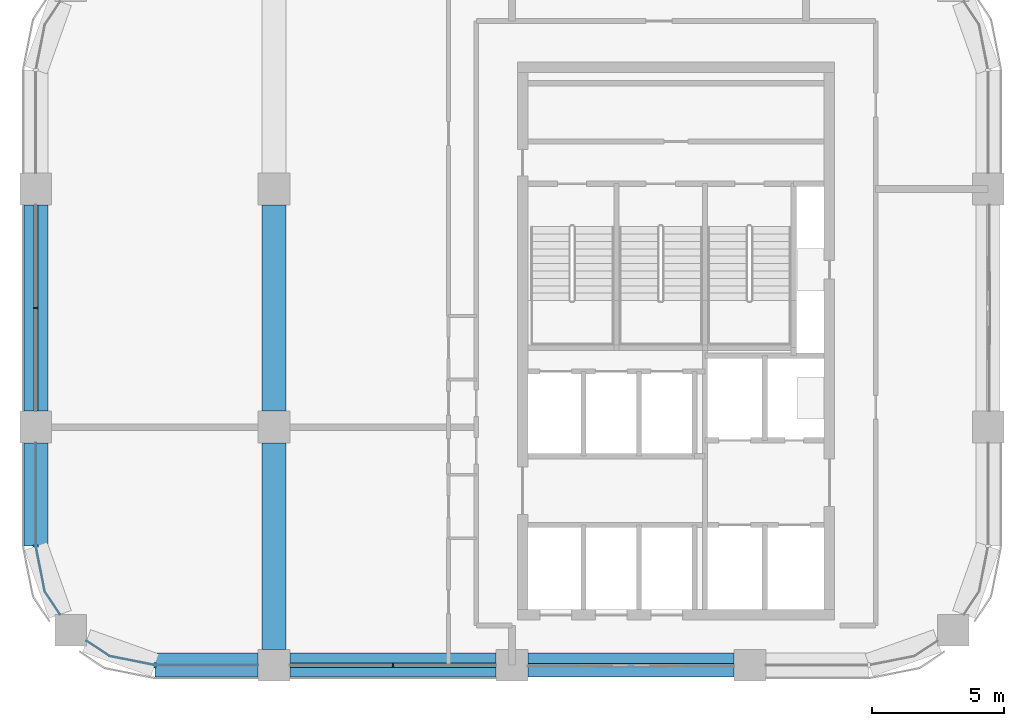
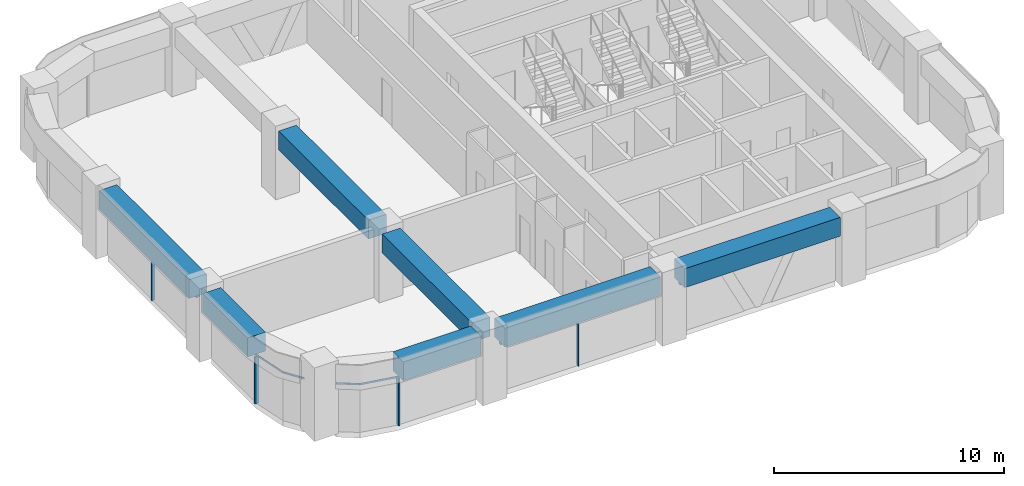
# One storey, part 2 of 9: 9 members, 7 beams, 5 elements without a shape of their own.
"""IFC4 building model written with IfcOpenShell, lengths in metres."""

from ifc_helpers import new_model, si_unit, direction, frame, origin, origin_2d, place, context, subcontext, project, spatial, polyline, rectangle, outline, extrude, material, material_profile, profile_set, type_object, element, aggregate, save


model = new_model("IFC4")

# Units and contexts
model_context = context("Model", 3, precision=1e-05, world=origin(), true_north=direction((0.0, 1.0)))
body_context = subcontext(model_context, "Body", "Model", "MODEL_VIEW")
ifc_project = project(units=[si_unit("LENGTHUNIT", "METRE"), si_unit("AREAUNIT", "SQUARE_METRE"), si_unit("VOLUMEUNIT", "CUBIC_METRE"), si_unit("PLANEANGLEUNIT", "RADIAN"), si_unit("MASSUNIT", "GRAM", prefix="KILO")], contexts=[model_context])

# Site, building, storey
site_placement = place(None, origin())
site = spatial("IfcSite", under=ifc_project, at=site_placement, CompositionType="ELEMENT")
building_placement = place(site_placement, origin())
building = spatial("IfcBuilding", under=site, at=building_placement, Name="Tessera Arch", CompositionType="ELEMENT")
storey_placement = place(building_placement, frame((0.0, 0.0, 273.5)))
storey = spatial("IfcBuildingStorey", under=building, at=storey_placement, Name="L66", CompositionType="ELEMENT", Elevation=273.5)

# Curtain wall, member
ifc_material_1 = material(Name="CW1 curtain wall")
curtain_wall_type_1 = type_object("IfcCurtainWallType", Name="CW1 curtain wall", PredefinedType="NOTDEFINED", material=ifc_material_1)
curtain_wall_1_placement = place(storey_placement, origin())
curtain_wall_1 = element("IfcCurtainWall", 1, at=curtain_wall_1_placement, inside=storey, type_object=curtain_wall_type_1, Name="CW1 curtain wall W18.27/1 L66", PredefinedType="NOTDEFINED")
ifc_material_2 = material(Name="Anodised aluminium pale metal", Category="aluminium")
ifc_material_profile_1 = material_profile(ifc_material_2, rectangle(XDim=0.159912109375, YDim=0.06005859375, at=origin_2d()), Name="AL 60x160")
ifc_profile_set_1 = profile_set([ifc_material_profile_1], Name="Anodised aluminium pale metal")
member_type_1 = type_object("IfcMemberType", Name="CW1 mullion", PredefinedType="MULLION", material=ifc_profile_set_1)
member_1_placement = place(storey_placement, frame((18.0, 40.5, 0.0), z_axis=(0.0, 0.0, 1.0), x_axis=(1.0, 0.0, 0.0)))
member_1 = element("IfcMember", 2, at=member_1_placement, type_object=member_type_1, Name="CW1 mullion W18.27/1 1", PredefinedType="MULLION", context=body_context, shape_type="SweptSolid", body=[
    extrude(rectangle(XDim=0.159912109375, YDim=0.06005859375, at=origin_2d()), origin(), (0.0, 0.0, 1.0), 2.5),
])

curtain_wall_2_placement = place(storey_placement, origin())
curtain_wall_2 = element("IfcCurtainWall", 3, at=curtain_wall_2_placement, inside=storey, type_object=curtain_wall_type_1, Name="CW1 curtain wall S27.18/1 L66", PredefinedType="NOTDEFINED")
member_2_placement = place(storey_placement, frame((31.5, 27.0, 0.0), z_axis=(0.0, 0.0, 1.0), x_axis=(0.0, 1.0, 0.0)))
member_2 = element("IfcMember", 4, at=member_2_placement, type_object=member_type_1, Name="CW1 mullion S27.18/1 1", PredefinedType="MULLION", context=body_context, shape_type="SweptSolid", body=[
    extrude(rectangle(XDim=0.159912109375, YDim=0.06005859375, at=origin_2d()), origin(), (0.0, 0.0, 1.0), 2.5),
])

# Member
ifc_material_3 = material(Name="Anodised aluminium pale metal", Category="aluminium")
ifc_material_profile_2 = material_profile(ifc_material_3, rectangle(XDim=0.159912109375, YDim=0.10009765625, at=origin_2d()), Name="AL 160x100")
ifc_profile_set_2 = profile_set([ifc_material_profile_2], Name="Anodised aluminium pale metal")
member_type_2 = type_object("IfcMemberType", Name="CW1 transom", PredefinedType="USERDEFINED", material=ifc_profile_set_2)
member_3_placement = place(storey_placement, frame((18.0, 44.39990234375, 2.550048828125), z_axis=(0.0, -1.0, 0.0), x_axis=(1.0, 0.0, 0.0)))
member_3 = element("IfcMember", 5, at=member_3_placement, type_object=member_type_2, Name="CW1 transom W18.27/1 1.1", ObjectType="TRANSOM", PredefinedType="USERDEFINED", context=body_context, shape_type="SweptSolid", body=[
    extrude(rectangle(XDim=0.159912109375, YDim=0.10009765625, at=origin_2d()), origin(), (0.0, 0.0, 1.0), 7.7998046875),
])

aggregate(curtain_wall_1, [member_1, member_3])

member_4_placement = place(storey_placement, frame((27.60009765625, 27.0, 2.550048828125), z_axis=(1.0, 0.0, 0.0), x_axis=(0.0, 1.0, 0.0)))
member_4 = element("IfcMember", 6, at=member_4_placement, type_object=member_type_2, Name="CW1 transom S27.18/1 1.1", ObjectType="TRANSOM", PredefinedType="USERDEFINED", context=body_context, shape_type="SweptSolid", body=[
    extrude(rectangle(XDim=0.159912109375, YDim=0.10009765625, at=origin_2d()), origin(), (0.0, 0.0, 1.0), 7.7998046875),
])

aggregate(curtain_wall_2, [member_2, member_4])

# Curtain wall, member
ifc_material_4 = material(Name="CW2 curtain wall")
curtain_wall_type_2 = type_object("IfcCurtainWallType", Name="CW2 curtain wall", PredefinedType="NOTDEFINED", material=ifc_material_4)
curtain_wall_3_placement = place(storey_placement, origin())
curtain_wall_3 = element("IfcCurtainWall", 7, at=curtain_wall_3_placement, inside=storey, type_object=curtain_wall_type_2, Name="CW2 curtain wall W18.27/2 L66", PredefinedType="NOTDEFINED")
ifc_material_5 = material(Name="Anodised aluminium pale metal", Category="aluminium")
ifc_material_profile_3 = material_profile(ifc_material_5, rectangle(XDim=0.199951171875, YDim=0.080078125, at=origin_2d()), Name="AL 80x200")
ifc_profile_set_3 = profile_set([ifc_material_profile_3], Name="Anodised aluminium pale metal")
member_type_3 = type_object("IfcMemberType", Name="CW2 mullion", PredefinedType="MULLION", material=ifc_profile_set_3)
member_5_placement = place(storey_placement, frame((18.0, 31.5, 0.0), z_axis=(0.0, 0.0, 1.0), x_axis=(1.0, 0.0, 0.0)))
member_5 = element("IfcMember", 8, at=member_5_placement, type_object=member_type_3, Name="CW2 mullion W18.27/2 1", PredefinedType="MULLION", context=body_context, shape_type="SweptSolid", body=[
    extrude(rectangle(XDim=0.199951171875, YDim=0.080078125, at=origin_2d()), origin(), (0.0, 0.0, 1.0), 2.5),
])

curtain_wall_4_placement = place(storey_placement, origin())
curtain_wall_4 = element("IfcCurtainWall", 9, at=curtain_wall_4_placement, inside=storey, type_object=curtain_wall_type_2, Name="CW2 curtain wall S27.18/0 L66", PredefinedType="NOTDEFINED")
member_6_placement = place(storey_placement, frame((22.5, 27.0, 0.0), z_axis=(0.0, 0.0, 1.0), x_axis=(0.0, 1.0, 0.0)))
member_6 = element("IfcMember", 10, at=member_6_placement, type_object=member_type_3, Name="CW2 mullion S27.18/0 1", PredefinedType="MULLION", context=body_context, shape_type="SweptSolid", body=[
    extrude(rectangle(XDim=0.199951171875, YDim=0.080078125, at=origin_2d()), origin(), (0.0, 0.0, 1.0), 2.5),
])

# Member
ifc_material_6 = material(Name="Anodised aluminium pale metal", Category="aluminium")
ifc_material_profile_4 = material_profile(ifc_material_6, rectangle(XDim=0.199951171875, YDim=0.10009765625, at=origin_2d()), Name="AL 200x100")
ifc_profile_set_4 = profile_set([ifc_material_profile_4], Name="Anodised aluminium pale metal")
member_type_4 = type_object("IfcMemberType", Name="CW2 transom", PredefinedType="USERDEFINED", material=ifc_profile_set_4)
member_7_placement = place(storey_placement, frame((0.0, 0.0, 2.5)))
member_7 = element("IfcMember", 11, at=member_7_placement, type_object=member_type_4, Name="CW2 transom W18.27/2 1", ObjectType="TRANSOM", PredefinedType="USERDEFINED", context=body_context, shape_type="SweptSolid", body=[
    extrude(outline(polyline([(18.010009765625, 31.5009765625), (18.010009765625, 35.39990234375), (17.989990234375, 35.39990234375), (17.989990234375, 31.4990234375), (18.3330078125, 29.77392578125), (18.90869140625, 28.912353515625), (18.92529296875, 28.923583984375), (18.351806640625, 29.78173828125), (18.010009765625, 31.5009765625)])), origin(), (0.0, 0.0, 1.0), 0.10009765625),
])

aggregate(curtain_wall_3, [member_5, member_7])

member_8_placement = place(storey_placement, frame((0.0, 0.0, 2.5)))
member_8 = element("IfcMember", 12, at=member_8_placement, type_object=member_type_4, Name="CW2 transom S27.18/0 1", ObjectType="TRANSOM", PredefinedType="USERDEFINED", context=body_context, shape_type="SweptSolid", body=[
    extrude(outline(polyline([(20.78173828125, 27.351806640625), (19.923583984375, 27.92529296875), (19.912353515625, 27.90869140625), (20.77392578125, 27.3330078125), (22.4990234375, 26.989990234375), (26.39990234375, 26.989990234375), (26.39990234375, 27.010009765625), (22.5009765625, 27.010009765625), (20.78173828125, 27.351806640625)])), origin(), (0.0, 0.0, 1.0), 0.10009765625),
])

aggregate(curtain_wall_4, [member_6, member_8])

# Curtain wall, member
ifc_material_7 = material(Name="CW3 curtain wall")
curtain_wall_type_3 = type_object("IfcCurtainWallType", Name="CW3 curtain wall", PredefinedType="NOTDEFINED", material=ifc_material_7)
curtain_wall_5_placement = place(storey_placement, origin())
curtain_wall_5 = element("IfcCurtainWall", 13, at=curtain_wall_5_placement, inside=storey, type_object=curtain_wall_type_3, Name="CW3 curtain wall S27.18/2 L66", PredefinedType="NOTDEFINED")
ifc_material_8 = material(Name="Anodised aluminium pale metal", Category="aluminium")
ifc_material_profile_5 = material_profile(ifc_material_8, rectangle(XDim=0.139892578125, YDim=0.10009765625, at=origin_2d()), Name="AL 140x100")
ifc_profile_set_5 = profile_set([ifc_material_profile_5], Name="Anodised aluminium pale metal")
member_type_5 = type_object("IfcMemberType", Name="CW3 transom", PredefinedType="USERDEFINED", material=ifc_profile_set_5)
member_9_placement = place(storey_placement, frame((36.60009765625, 27.0, 2.550048828125), z_axis=(1.0, 0.0, 0.0), x_axis=(0.0, 1.0, 0.0)))
member_9 = element("IfcMember", 14, at=member_9_placement, type_object=member_type_5, Name="CW3 transom S27.18/2 1.1", ObjectType="TRANSOM", PredefinedType="USERDEFINED", context=body_context, shape_type="SweptSolid", body=[
    extrude(rectangle(XDim=0.139892578125, YDim=0.10009765625, at=origin_2d()), origin(), (0.0, 0.0, 1.0), 7.7998046875),
])
aggregate(curtain_wall_5, [member_9])

# Beams
ifc_material_9 = material(Name="Concrete C60/75", Category="concrete")
ifc_material_profile_6 = material_profile(ifc_material_9, rectangle(XDim=0.89990234375, YDim=1.0, at=origin_2d()), Name="RC spandrel beam 900 x 1000 Concrete C60/75")
ifc_profile_set_6 = profile_set([ifc_material_profile_6], Name="Concrete C60/75")
beam_type = type_object("IfcBeamType", Name="RC spandrel beam 900 x 1000 Concrete C60/75", PredefinedType="BEAM", material=ifc_profile_set_6)
beam_placement = place(storey_placement, frame((18.0, 44.39990234375, 3.10009765625), z_axis=(0.0, -1.0, 0.0), x_axis=(1.0, 0.0, 0.0)))
element("IfcBeam", 15, at=beam_placement, inside=storey, type_object=beam_type, Name="Spandrel beam L66 W18.27/1", PredefinedType="BEAM", context=body_context, shape_type="SweptSolid", body=[
    extrude(rectangle(XDim=0.89990234375, YDim=1.0, at=origin_2d()), origin(), (0.0, 0.0, 1.0), 7.7998046875),
])
for number, where, z_axis, x_axis, name in (
    (16, (18.0, 35.39990234375, 3.10009765625), (0.0, -1.0, 0.0), (1.0, 0.0, 0.0), "Spandrel beam L66 W18.27/2.1"),
    (17, (22.5, 27.0, 3.10009765625), (1.0, 0.0, 0.0), (0.0, 1.0, 0.0), "Spandrel beam L66 S27.18/0.2"),
):
    element("IfcBeam", number, at=place(storey_placement, frame(where, z_axis=z_axis, x_axis=x_axis)), inside=storey, type_object=beam_type, Name=name, PredefinedType="BEAM", context=body_context, shape_type="SweptSolid", body=[
        extrude(rectangle(XDim=0.89990234375, YDim=1.0, at=origin_2d()), origin(), (0.0, 0.0, 1.0), 3.89990234375),
    ])
for number, where, z_axis, x_axis, name in (
    (18, (27.60009765625, 27.0, 3.10009765625), (1.0, 0.0, 0.0), (0.0, 1.0, 0.0), "Spandrel beam L66 S27.18/1"),
    (19, (36.60009765625, 27.0, 3.10009765625), (1.0, 0.0, 0.0), (0.0, 1.0, 0.0), "Spandrel beam L66 S27.18/2"),
    (20, (27.0, 27.60009765625, 3.10009765625), (0.0, 1.0, 0.0), (-1.0, 0.0, 0.0), "Interface beam L66 I0C4D-C4E"),
    (21, (27.0, 36.60009765625, 3.10009765625), (0.0, 1.0, 0.0), (-1.0, 0.0, 0.0), "Interface beam L66 I0C4E-C4F"),
):
    element("IfcBeam", number, at=place(storey_placement, frame(where, z_axis=z_axis, x_axis=x_axis)), inside=storey, type_object=beam_type, Name=name, PredefinedType="BEAM", context=body_context, shape_type="SweptSolid", body=[
        extrude(rectangle(XDim=0.89990234375, YDim=1.0, at=origin_2d()), origin(), (0.0, 0.0, 1.0), 7.7998046875),
    ])

save(model, "model.ifc")
